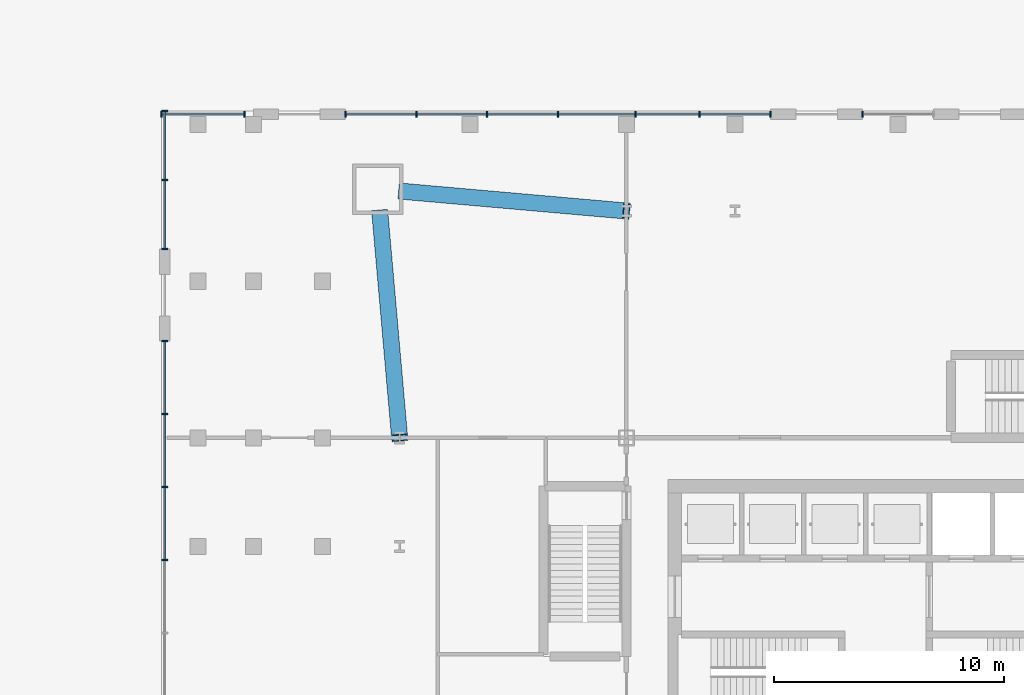
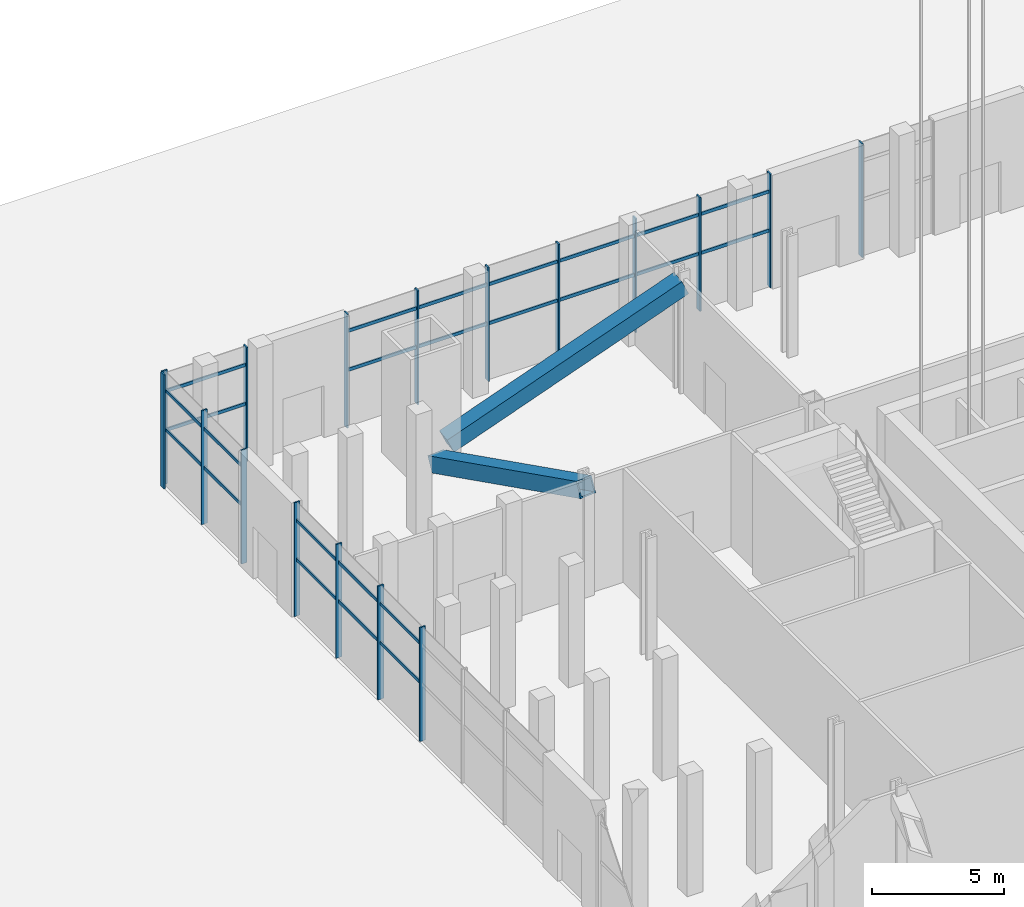
# One storey, part 5 of 27: 43 members, 5 elements without a shape of their own.
"""IFC4 building model written with IfcOpenShell, lengths in metres."""

from ifc_helpers import new_model, si_unit, direction, frame, origin, origin_2d, place, context, subcontext, project, spatial, rectangle, hollow_rectangle, extrude, material, material_profile, profile_set, type_object, element, aggregate, save


model = new_model("IFC4")

# Units and contexts
model_context = context("Model", 3, precision=1e-05, world=origin(), true_north=direction((0.0, 1.0)))
body_context = subcontext(model_context, "Body", "Model", "MODEL_VIEW")
ifc_project = project(units=[si_unit("LENGTHUNIT", "METRE"), si_unit("AREAUNIT", "SQUARE_METRE"), si_unit("VOLUMEUNIT", "CUBIC_METRE"), si_unit("PLANEANGLEUNIT", "RADIAN"), si_unit("MASSUNIT", "GRAM", prefix="KILO")], contexts=[model_context])

# Site, building, storey
site_placement = place(None, origin())
site = spatial("IfcSite", under=ifc_project, at=site_placement, CompositionType="ELEMENT")
building_placement = place(site_placement, origin())
building = spatial("IfcBuilding", under=site, at=building_placement, Name="Turquesa Mirador Hotel Tower", CompositionType="ELEMENT")
storey_placement = place(building_placement, origin())
storey = spatial("IfcBuildingStorey", under=building, at=storey_placement, Name="L00", CompositionType="ELEMENT", Elevation=0.0)

# Curtain wall, member
ifc_material_1 = material(Name="Aluminium extrusion", Category="aluminium")
curtain_wall_type = type_object("IfcCurtainWallType", Name="CW-1 LOBBY CURTAIN WALL", PredefinedType="USERDEFINED", material=ifc_material_1)
curtain_wall_1_placement = place(storey_placement, origin())
curtain_wall_1 = element("IfcCurtainWall", 1, at=curtain_wall_1_placement, inside=storey, type_object=curtain_wall_type, Name="CW-1 LOBBY CURTAIN WALL L00", ObjectType="CURTAIN WALL", PredefinedType="USERDEFINED")
ifc_material_2 = material(Name="Aluminium extrusion", Category="aluminium")
ifc_material_profile_1 = material_profile(ifc_material_2, rectangle(XDim=0.06494140625, YDim=0.25, at=origin_2d()), Name="MULLION 65X250")
ifc_profile_set_1 = profile_set([ifc_material_profile_1], Name="Aluminium extrusion")
member_type_1 = type_object("IfcMemberType", Name="CW MULLION 65X250", PredefinedType="MULLION", material=ifc_profile_set_1)
member_1_placement = place(storey_placement, frame((53.4599609375, 70.85009765625, 0.0), z_axis=(0.0, 0.0, 1.0), x_axis=(-1.0, 0.0, 0.0)))
member_1 = element("IfcMember", 2, at=member_1_placement, type_object=member_type_1, Name="Mullion", PredefinedType="MULLION", context=body_context, shape_type="SweptSolid", body=[
    extrude(rectangle(XDim=0.06494140625, YDim=0.25, at=origin_2d()), origin(), (0.0, 0.0, 1.0), 5.25),
])
aggregate(curtain_wall_1, [member_1])

# Curtain wall, members
curtain_wall_2_placement = place(storey_placement, origin())
curtain_wall_2 = element("IfcCurtainWall", 3, at=curtain_wall_2_placement, inside=storey, type_object=curtain_wall_type, Name="CW-1 LOBBY CURTAIN WALL L00", ObjectType="CURTAIN WALL", PredefinedType="USERDEFINED")
member_2_placement = place(storey_placement, frame((49.4599609375, 70.85009765625, 0.0), z_axis=(0.0, 0.0, 1.0), x_axis=(-1.0, 0.0, 0.0)))
member_2 = element("IfcMember", 4, at=member_2_placement, type_object=member_type_1, Name="Mullion", PredefinedType="MULLION", context=body_context, shape_type="SweptSolid", body=[
    extrude(rectangle(XDim=0.06494140625, YDim=0.25, at=origin_2d()), origin(), (0.0, 0.0, 1.0), 5.25),
])
member_3_placement = place(storey_placement, frame((46.38330078125, 70.85009765625, 0.0), z_axis=(0.0, 0.0, 1.0), x_axis=(-1.0, 0.0, 0.0)))
member_3 = element("IfcMember", 5, at=member_3_placement, type_object=member_type_1, Name="Mullion", PredefinedType="MULLION", context=body_context, shape_type="SweptSolid", body=[
    extrude(rectangle(XDim=0.06494140625, YDim=0.25, at=origin_2d()), origin(), (0.0, 0.0, 1.0), 5.25),
])
member_4_placement = place(storey_placement, frame((43.58447265625, 70.85009765625, 0.0), z_axis=(0.0, 0.0, 1.0), x_axis=(-1.0, 0.0, 0.0)))
member_4 = element("IfcMember", 6, at=member_4_placement, type_object=member_type_1, Name="Mullion", PredefinedType="MULLION", context=body_context, shape_type="SweptSolid", body=[
    extrude(rectangle(XDim=0.06494140625, YDim=0.25, at=origin_2d()), origin(), (0.0, 0.0, 1.0), 5.25),
])
member_5_placement = place(storey_placement, frame((40.22998046875, 70.85009765625, 0.0), z_axis=(0.0, 0.0, 1.0), x_axis=(-1.0, 0.0, 0.0)))
member_5 = element("IfcMember", 7, at=member_5_placement, type_object=member_type_1, Name="Mullion", PredefinedType="MULLION", context=body_context, shape_type="SweptSolid", body=[
    extrude(rectangle(XDim=0.06494140625, YDim=0.25, at=origin_2d()), origin(), (0.0, 0.0, 1.0), 5.25),
])
member_6_placement = place(storey_placement, frame((37.1533203125, 70.85009765625, 0.0), z_axis=(0.0, 0.0, 1.0), x_axis=(-1.0, 0.0, 0.0)))
member_6 = element("IfcMember", 8, at=member_6_placement, type_object=member_type_1, Name="Mullion", PredefinedType="MULLION", context=body_context, shape_type="SweptSolid", body=[
    extrude(rectangle(XDim=0.06494140625, YDim=0.25, at=origin_2d()), origin(), (0.0, 0.0, 1.0), 5.25),
])
member_7_placement = place(storey_placement, frame((34.07666015625, 70.85009765625, 0.0), z_axis=(0.0, 0.0, 1.0), x_axis=(-1.0, 0.0, 0.0)))
member_7 = element("IfcMember", 9, at=member_7_placement, type_object=member_type_1, Name="Mullion", PredefinedType="MULLION", context=body_context, shape_type="SweptSolid", body=[
    extrude(rectangle(XDim=0.06494140625, YDim=0.25, at=origin_2d()), origin(), (0.0, 0.0, 1.0), 5.25),
])
member_8_placement = place(storey_placement, frame((31.0, 70.85009765625, 0.0), z_axis=(0.0, 0.0, 1.0), x_axis=(-1.0, 0.0, 0.0)))
member_8 = element("IfcMember", 10, at=member_8_placement, type_object=member_type_1, Name="Mullion", PredefinedType="MULLION", context=body_context, shape_type="SweptSolid", body=[
    extrude(rectangle(XDim=0.06494140625, YDim=0.25, at=origin_2d()), origin(), (0.0, 0.0, 1.0), 5.25),
])

curtain_wall_3_placement = place(storey_placement, origin())
curtain_wall_3 = element("IfcCurtainWall", 11, at=curtain_wall_3_placement, inside=storey, type_object=curtain_wall_type, Name="CW-1 LOBBY CURTAIN WALL L00", ObjectType="CURTAIN WALL", PredefinedType="USERDEFINED")
member_9_placement = place(storey_placement, frame((26.615478515625, 70.85009765625, 0.0), z_axis=(0.0, 0.0, 1.0), x_axis=(-1.0, 0.0, 0.0)))
member_9 = element("IfcMember", 12, at=member_9_placement, type_object=member_type_1, Name="Mullion", PredefinedType="MULLION", context=body_context, shape_type="SweptSolid", body=[
    extrude(rectangle(XDim=0.06494140625, YDim=0.25, at=origin_2d()), origin(), (0.0, 0.0, 1.0), 5.25),
])
member_10_placement = place(storey_placement, frame((23.0, 70.85009765625, 0.0), z_axis=(0.0, 0.0, 1.0), x_axis=(-1.0, 0.0, 0.0)))
member_10 = element("IfcMember", 13, at=member_10_placement, type_object=member_type_1, Name="Mullion", PredefinedType="MULLION", context=body_context, shape_type="SweptSolid", body=[
    extrude(rectangle(XDim=0.06494140625, YDim=0.25, at=origin_2d()), origin(), (0.0, 0.0, 1.0), 5.25),
])

curtain_wall_4_placement = place(storey_placement, origin())
curtain_wall_4 = element("IfcCurtainWall", 14, at=curtain_wall_4_placement, inside=storey, type_object=curtain_wall_type, Name="CW-1 LOBBY CURTAIN WALL L00", ObjectType="CURTAIN WALL", PredefinedType="USERDEFINED")
member_11_placement = place(storey_placement, frame((23.14990234375, 71.0, 0.0), z_axis=(0.0, 0.0, 1.0), x_axis=(0.0, -1.0, 0.0)))
member_11 = element("IfcMember", 15, at=member_11_placement, type_object=member_type_1, Name="Mullion", PredefinedType="MULLION", context=body_context, shape_type="SweptSolid", body=[
    extrude(rectangle(XDim=0.06494140625, YDim=0.25, at=origin_2d()), origin(), (0.0, 0.0, 1.0), 5.25),
])
member_12_placement = place(storey_placement, frame((23.14990234375, 68.0, 0.0), z_axis=(0.0, 0.0, 1.0), x_axis=(0.0, -1.0, 0.0)))
member_12 = element("IfcMember", 16, at=member_12_placement, type_object=member_type_1, Name="Mullion", PredefinedType="MULLION", context=body_context, shape_type="SweptSolid", body=[
    extrude(rectangle(XDim=0.06494140625, YDim=0.25, at=origin_2d()), origin(), (0.0, 0.0, 1.0), 5.25),
])
member_13_placement = place(storey_placement, frame((23.14990234375, 65.0, 0.0), z_axis=(0.0, 0.0, 1.0), x_axis=(0.0, -1.0, 0.0)))
member_13 = element("IfcMember", 17, at=member_13_placement, type_object=member_type_1, Name="Mullion", PredefinedType="MULLION", context=body_context, shape_type="SweptSolid", body=[
    extrude(rectangle(XDim=0.06494140625, YDim=0.25, at=origin_2d()), origin(), (0.0, 0.0, 1.0), 5.25),
])

curtain_wall_5_placement = place(storey_placement, origin())
curtain_wall_5 = element("IfcCurtainWall", 18, at=curtain_wall_5_placement, inside=storey, type_object=curtain_wall_type, Name="CW-1 LOBBY CURTAIN WALL L00", ObjectType="CURTAIN WALL", PredefinedType="USERDEFINED")
member_14_placement = place(storey_placement, frame((23.14990234375, 61.0, 0.0), z_axis=(0.0, 0.0, 1.0), x_axis=(0.0, -1.0, 0.0)))
member_14 = element("IfcMember", 19, at=member_14_placement, type_object=member_type_1, Name="Mullion", PredefinedType="MULLION", context=body_context, shape_type="SweptSolid", body=[
    extrude(rectangle(XDim=0.06494140625, YDim=0.25, at=origin_2d()), origin(), (0.0, 0.0, 1.0), 5.25),
])
member_15_placement = place(storey_placement, frame((23.14990234375, 57.833251953125, 0.0), z_axis=(0.0, 0.0, 1.0), x_axis=(0.0, -1.0, 0.0)))
member_15 = element("IfcMember", 20, at=member_15_placement, type_object=member_type_1, Name="Mullion", PredefinedType="MULLION", context=body_context, shape_type="SweptSolid", body=[
    extrude(rectangle(XDim=0.06494140625, YDim=0.25, at=origin_2d()), origin(), (0.0, 0.0, 1.0), 5.25),
])
member_16_placement = place(storey_placement, frame((23.14990234375, 54.666748046875, 0.0), z_axis=(0.0, 0.0, 1.0), x_axis=(0.0, -1.0, 0.0)))
member_16 = element("IfcMember", 21, at=member_16_placement, type_object=member_type_1, Name="Mullion", PredefinedType="MULLION", context=body_context, shape_type="SweptSolid", body=[
    extrude(rectangle(XDim=0.06494140625, YDim=0.25, at=origin_2d()), origin(), (0.0, 0.0, 1.0), 5.25),
])
member_17_placement = place(storey_placement, frame((23.14990234375, 51.5, 0.0), z_axis=(0.0, 0.0, 1.0), x_axis=(0.0, -1.0, 0.0)))
member_17 = element("IfcMember", 22, at=member_17_placement, type_object=member_type_1, Name="Mullion", PredefinedType="MULLION", context=body_context, shape_type="SweptSolid", body=[
    extrude(rectangle(XDim=0.06494140625, YDim=0.25, at=origin_2d()), origin(), (0.0, 0.0, 1.0), 5.25),
])

# Member
ifc_material_3 = material(Name="Aluminium extrusion", Category="aluminium")
ifc_material_profile_2 = material_profile(ifc_material_3, rectangle(XDim=0.06494140625, YDim=0.14990234375, at=origin_2d()), Name="TRANSOM 65X150")
ifc_profile_set_2 = profile_set([ifc_material_profile_2], Name="Aluminium extrusion")
member_type_2 = type_object("IfcMemberType", Name="CW TRANSOM 65X150", PredefinedType="USERDEFINED", material=ifc_profile_set_2)
member_18_placement = place(storey_placement, frame((49.427490234375, 70.85009765625, 2.60009765625), z_axis=(-1.0, 0.0, 0.0), x_axis=(0.0, -1.0, 0.0)))
member_18 = element("IfcMember", 23, at=member_18_placement, type_object=member_type_2, Name="Transom", ObjectType="TRANSOM", PredefinedType="USERDEFINED", context=body_context, shape_type="SweptSolid", body=[
    extrude(rectangle(XDim=0.06494140625, YDim=0.14990234375, at=origin_2d()), origin(), (0.0, 0.0, 1.0), 3.01171875),
])

member_19_placement = place(storey_placement, frame((49.427490234375, 70.85009765625, 4.39990234375), z_axis=(-1.0, 0.0, 0.0), x_axis=(0.0, -1.0, 0.0)))
member_19 = element("IfcMember", 24, at=member_19_placement, type_object=member_type_2, Name="Transom", ObjectType="TRANSOM", PredefinedType="USERDEFINED", context=body_context, shape_type="SweptSolid", body=[
    extrude(rectangle(XDim=0.06494140625, YDim=0.14990234375, at=origin_2d()), origin(), (0.0, 0.0, 1.0), 3.01171875),
])

member_20_placement = place(storey_placement, frame((46.350830078125, 70.85009765625, 2.60009765625), z_axis=(-1.0, 0.0, 0.0), x_axis=(0.0, -1.0, 0.0)))
member_20 = element("IfcMember", 25, at=member_20_placement, type_object=member_type_2, Name="Transom", ObjectType="TRANSOM", PredefinedType="USERDEFINED", context=body_context, shape_type="SweptSolid", body=[
    extrude(rectangle(XDim=0.06494140625, YDim=0.14990234375, at=origin_2d()), origin(), (0.0, 0.0, 1.0), 2.73388671875),
])

member_21_placement = place(storey_placement, frame((46.350830078125, 70.85009765625, 4.39990234375), z_axis=(-1.0, 0.0, 0.0), x_axis=(0.0, -1.0, 0.0)))
member_21 = element("IfcMember", 26, at=member_21_placement, type_object=member_type_2, Name="Transom", ObjectType="TRANSOM", PredefinedType="USERDEFINED", context=body_context, shape_type="SweptSolid", body=[
    extrude(rectangle(XDim=0.06494140625, YDim=0.14990234375, at=origin_2d()), origin(), (0.0, 0.0, 1.0), 2.73388671875),
])

member_22_placement = place(storey_placement, frame((43.552001953125, 70.85009765625, 2.60009765625), z_axis=(-1.0, 0.0, 0.0), x_axis=(0.0, -1.0, 0.0)))
member_22 = element("IfcMember", 27, at=member_22_placement, type_object=member_type_2, Name="Transom", ObjectType="TRANSOM", PredefinedType="USERDEFINED", context=body_context, shape_type="SweptSolid", body=[
    extrude(rectangle(XDim=0.06494140625, YDim=0.14990234375, at=origin_2d()), origin(), (0.0, 0.0, 1.0), 3.28955078125),
])

member_23_placement = place(storey_placement, frame((43.552001953125, 70.85009765625, 4.39990234375), z_axis=(-1.0, 0.0, 0.0), x_axis=(0.0, -1.0, 0.0)))
member_23 = element("IfcMember", 28, at=member_23_placement, type_object=member_type_2, Name="Transom", ObjectType="TRANSOM", PredefinedType="USERDEFINED", context=body_context, shape_type="SweptSolid", body=[
    extrude(rectangle(XDim=0.06494140625, YDim=0.14990234375, at=origin_2d()), origin(), (0.0, 0.0, 1.0), 3.28955078125),
])

member_24_placement = place(storey_placement, frame((40.197509765625, 70.85009765625, 2.60009765625), z_axis=(-1.0, 0.0, 0.0), x_axis=(0.0, -1.0, 0.0)))
member_24 = element("IfcMember", 29, at=member_24_placement, type_object=member_type_2, Name="Transom", ObjectType="TRANSOM", PredefinedType="USERDEFINED", context=body_context, shape_type="SweptSolid", body=[
    extrude(rectangle(XDim=0.06494140625, YDim=0.14990234375, at=origin_2d()), origin(), (0.0, 0.0, 1.0), 3.01171875),
])

member_25_placement = place(storey_placement, frame((40.197509765625, 70.85009765625, 4.39990234375), z_axis=(-1.0, 0.0, 0.0), x_axis=(0.0, -1.0, 0.0)))
member_25 = element("IfcMember", 30, at=member_25_placement, type_object=member_type_2, Name="Transom", ObjectType="TRANSOM", PredefinedType="USERDEFINED", context=body_context, shape_type="SweptSolid", body=[
    extrude(rectangle(XDim=0.06494140625, YDim=0.14990234375, at=origin_2d()), origin(), (0.0, 0.0, 1.0), 3.01171875),
])

member_26_placement = place(storey_placement, frame((37.120849609375, 70.85009765625, 2.60009765625), z_axis=(-1.0, 0.0, 0.0), x_axis=(0.0, -1.0, 0.0)))
member_26 = element("IfcMember", 31, at=member_26_placement, type_object=member_type_2, Name="Transom", ObjectType="TRANSOM", PredefinedType="USERDEFINED", context=body_context, shape_type="SweptSolid", body=[
    extrude(rectangle(XDim=0.06494140625, YDim=0.14990234375, at=origin_2d()), origin(), (0.0, 0.0, 1.0), 3.01171875),
])

member_27_placement = place(storey_placement, frame((37.120849609375, 70.85009765625, 4.39990234375), z_axis=(-1.0, 0.0, 0.0), x_axis=(0.0, -1.0, 0.0)))
member_27 = element("IfcMember", 32, at=member_27_placement, type_object=member_type_2, Name="Transom", ObjectType="TRANSOM", PredefinedType="USERDEFINED", context=body_context, shape_type="SweptSolid", body=[
    extrude(rectangle(XDim=0.06494140625, YDim=0.14990234375, at=origin_2d()), origin(), (0.0, 0.0, 1.0), 3.01171875),
])

member_28_placement = place(storey_placement, frame((34.044189453125, 70.85009765625, 2.60009765625), z_axis=(-1.0, 0.0, 0.0), x_axis=(0.0, -1.0, 0.0)))
member_28 = element("IfcMember", 33, at=member_28_placement, type_object=member_type_2, Name="Transom", ObjectType="TRANSOM", PredefinedType="USERDEFINED", context=body_context, shape_type="SweptSolid", body=[
    extrude(rectangle(XDim=0.06494140625, YDim=0.14990234375, at=origin_2d()), origin(), (0.0, 0.0, 1.0), 3.01171875),
])

member_29_placement = place(storey_placement, frame((34.044189453125, 70.85009765625, 4.39990234375), z_axis=(-1.0, 0.0, 0.0), x_axis=(0.0, -1.0, 0.0)))
member_29 = element("IfcMember", 34, at=member_29_placement, type_object=member_type_2, Name="Transom", ObjectType="TRANSOM", PredefinedType="USERDEFINED", context=body_context, shape_type="SweptSolid", body=[
    extrude(rectangle(XDim=0.06494140625, YDim=0.14990234375, at=origin_2d()), origin(), (0.0, 0.0, 1.0), 3.01171875),
])

aggregate(curtain_wall_2, [member_2, member_3, member_4, member_5, member_6, member_7, member_8, member_18, member_19, member_20, member_21, member_22, member_23, member_24, member_25, member_26, member_27, member_28, member_29])

member_30_placement = place(storey_placement, frame((26.5830078125, 70.85009765625, 2.60009765625), z_axis=(-1.0, 0.0, 0.0), x_axis=(0.0, -1.0, 0.0)))
member_30 = element("IfcMember", 35, at=member_30_placement, type_object=member_type_2, Name="Transom", ObjectType="TRANSOM", PredefinedType="USERDEFINED", context=body_context, shape_type="SweptSolid", body=[
    extrude(rectangle(XDim=0.06494140625, YDim=0.14990234375, at=origin_2d()), origin(), (0.0, 0.0, 1.0), 3.550537109375),
])

member_31_placement = place(storey_placement, frame((26.5830078125, 70.85009765625, 4.39990234375), z_axis=(-1.0, 0.0, 0.0), x_axis=(0.0, -1.0, 0.0)))
member_31 = element("IfcMember", 36, at=member_31_placement, type_object=member_type_2, Name="Transom", ObjectType="TRANSOM", PredefinedType="USERDEFINED", context=body_context, shape_type="SweptSolid", body=[
    extrude(rectangle(XDim=0.06494140625, YDim=0.14990234375, at=origin_2d()), origin(), (0.0, 0.0, 1.0), 3.550537109375),
])

aggregate(curtain_wall_3, [member_9, member_10, member_30, member_31])

member_32_placement = place(storey_placement, frame((23.14990234375, 70.967529296875, 2.60009765625), z_axis=(0.0, -1.0, 0.0), x_axis=(1.0, 0.0, 0.0)))
member_32 = element("IfcMember", 37, at=member_32_placement, type_object=member_type_2, Name="Transom", ObjectType="TRANSOM", PredefinedType="USERDEFINED", context=body_context, shape_type="SweptSolid", body=[
    extrude(rectangle(XDim=0.06494140625, YDim=0.14990234375, at=origin_2d()), origin(), (0.0, 0.0, 1.0), 2.93505859375),
])

member_33_placement = place(storey_placement, frame((23.14990234375, 70.967529296875, 4.39990234375), z_axis=(0.0, -1.0, 0.0), x_axis=(1.0, 0.0, 0.0)))
member_33 = element("IfcMember", 38, at=member_33_placement, type_object=member_type_2, Name="Transom", ObjectType="TRANSOM", PredefinedType="USERDEFINED", context=body_context, shape_type="SweptSolid", body=[
    extrude(rectangle(XDim=0.06494140625, YDim=0.14990234375, at=origin_2d()), origin(), (0.0, 0.0, 1.0), 2.93505859375),
])

member_34_placement = place(storey_placement, frame((23.14990234375, 67.967529296875, 2.60009765625), z_axis=(0.0, -1.0, 0.0), x_axis=(1.0, 0.0, 0.0)))
member_34 = element("IfcMember", 39, at=member_34_placement, type_object=member_type_2, Name="Transom", ObjectType="TRANSOM", PredefinedType="USERDEFINED", context=body_context, shape_type="SweptSolid", body=[
    extrude(rectangle(XDim=0.06494140625, YDim=0.14990234375, at=origin_2d()), origin(), (0.0, 0.0, 1.0), 2.93505859375),
])

member_35_placement = place(storey_placement, frame((23.14990234375, 67.967529296875, 4.39990234375), z_axis=(0.0, -1.0, 0.0), x_axis=(1.0, 0.0, 0.0)))
member_35 = element("IfcMember", 40, at=member_35_placement, type_object=member_type_2, Name="Transom", ObjectType="TRANSOM", PredefinedType="USERDEFINED", context=body_context, shape_type="SweptSolid", body=[
    extrude(rectangle(XDim=0.06494140625, YDim=0.14990234375, at=origin_2d()), origin(), (0.0, 0.0, 1.0), 2.93505859375),
])

aggregate(curtain_wall_4, [member_11, member_12, member_13, member_32, member_33, member_34, member_35])

member_36_placement = place(storey_placement, frame((23.14990234375, 60.967529296875, 2.60009765625), z_axis=(0.0, -1.0, 0.0), x_axis=(1.0, 0.0, 0.0)))
member_36 = element("IfcMember", 41, at=member_36_placement, type_object=member_type_2, Name="Transom", ObjectType="TRANSOM", PredefinedType="USERDEFINED", context=body_context, shape_type="SweptSolid", body=[
    extrude(rectangle(XDim=0.06494140625, YDim=0.14990234375, at=origin_2d()), origin(), (0.0, 0.0, 1.0), 3.101806640625),
])

member_37_placement = place(storey_placement, frame((23.14990234375, 60.967529296875, 4.39990234375), z_axis=(0.0, -1.0, 0.0), x_axis=(1.0, 0.0, 0.0)))
member_37 = element("IfcMember", 42, at=member_37_placement, type_object=member_type_2, Name="Transom", ObjectType="TRANSOM", PredefinedType="USERDEFINED", context=body_context, shape_type="SweptSolid", body=[
    extrude(rectangle(XDim=0.06494140625, YDim=0.14990234375, at=origin_2d()), origin(), (0.0, 0.0, 1.0), 3.101806640625),
])

member_38_placement = place(storey_placement, frame((23.14990234375, 57.80078125, 2.60009765625), z_axis=(0.0, -1.0, 0.0), x_axis=(1.0, 0.0, 0.0)))
member_38 = element("IfcMember", 43, at=member_38_placement, type_object=member_type_2, Name="Transom", ObjectType="TRANSOM", PredefinedType="USERDEFINED", context=body_context, shape_type="SweptSolid", body=[
    extrude(rectangle(XDim=0.06494140625, YDim=0.14990234375, at=origin_2d()), origin(), (0.0, 0.0, 1.0), 3.1015625),
])

member_39_placement = place(storey_placement, frame((23.14990234375, 57.80078125, 4.39990234375), z_axis=(0.0, -1.0, 0.0), x_axis=(1.0, 0.0, 0.0)))
member_39 = element("IfcMember", 44, at=member_39_placement, type_object=member_type_2, Name="Transom", ObjectType="TRANSOM", PredefinedType="USERDEFINED", context=body_context, shape_type="SweptSolid", body=[
    extrude(rectangle(XDim=0.06494140625, YDim=0.14990234375, at=origin_2d()), origin(), (0.0, 0.0, 1.0), 3.1015625),
])

member_40_placement = place(storey_placement, frame((23.14990234375, 54.63427734375, 2.60009765625), z_axis=(0.0, -1.0, 0.0), x_axis=(1.0, 0.0, 0.0)))
member_40 = element("IfcMember", 45, at=member_40_placement, type_object=member_type_2, Name="Transom", ObjectType="TRANSOM", PredefinedType="USERDEFINED", context=body_context, shape_type="SweptSolid", body=[
    extrude(rectangle(XDim=0.06494140625, YDim=0.14990234375, at=origin_2d()), origin(), (0.0, 0.0, 1.0), 3.101806640625),
])

member_41_placement = place(storey_placement, frame((23.14990234375, 54.63427734375, 4.39990234375), z_axis=(0.0, -1.0, 0.0), x_axis=(1.0, 0.0, 0.0)))
member_41 = element("IfcMember", 46, at=member_41_placement, type_object=member_type_2, Name="Transom", ObjectType="TRANSOM", PredefinedType="USERDEFINED", context=body_context, shape_type="SweptSolid", body=[
    extrude(rectangle(XDim=0.06494140625, YDim=0.14990234375, at=origin_2d()), origin(), (0.0, 0.0, 1.0), 3.101806640625),
])

aggregate(curtain_wall_5, [member_14, member_15, member_16, member_17, member_36, member_37, member_38, member_39, member_40, member_41])

# Members
ifc_material_4 = material(Name="Steel ASTM A572 Grade 50", Category="steel")
ifc_material_profile_3 = material_profile(ifc_material_4, hollow_rectangle(XDim=0.699951171875, YDim=0.699951171875, WallThickness=0.06005859375, at=origin_2d()), Name="BOX700X700X60")
ifc_profile_set_3 = profile_set([ifc_material_profile_3], Name="Steel ASTM A572 Grade 50")
member_type_3 = type_object("IfcMemberType", Name="PODIUM BRACE BOX700X700X60", PredefinedType="BRACE", material=ifc_profile_set_3)
for number, where, z_axis, x_axis, name in (
    (47, (33.449951171875, 67.507568359375, 0.476318359375), (0.907748098081, -0.079850737895, 0.411846148566), (0.087627369437, 0.996153323603, 0.0), "Podium brace N"),
    (48, (32.492431640625, 66.550048828125, 0.476318359375), (0.079850737895, -0.907748098081, 0.411846148566), (0.996153323603, 0.087627369437, 0.0), "Podium brace W"),
):
    element("IfcMember", number, at=place(storey_placement, frame(where, z_axis=z_axis, x_axis=x_axis)), inside=storey, type_object=member_type_3, Name=name, PredefinedType="BRACE", context=body_context, shape_type="SweptSolid", body=[
        extrude(hollow_rectangle(XDim=0.699951171875, YDim=0.699951171875, WallThickness=0.06005859375, at=origin_2d()), origin(), (0.0, 0.0, 1.0), 10.740966796875),
    ])

save(model, "model.ifc")
